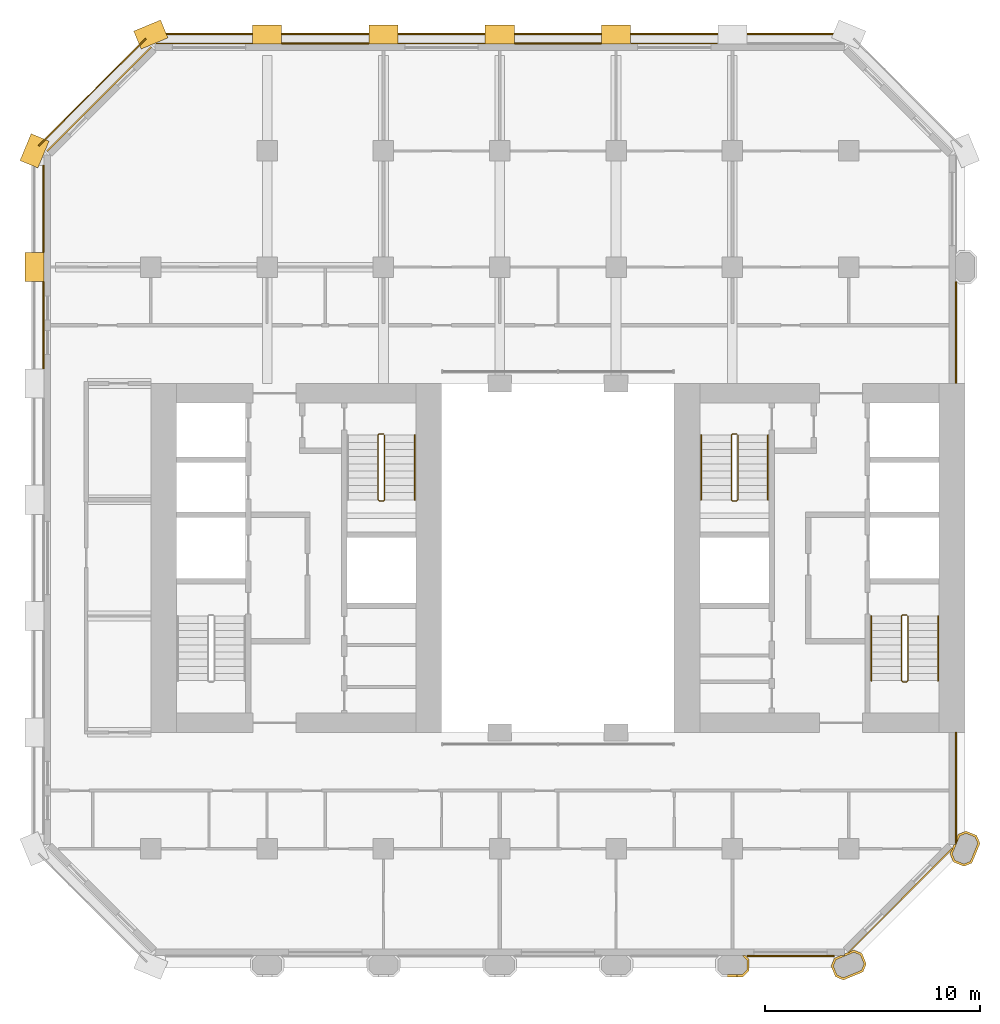
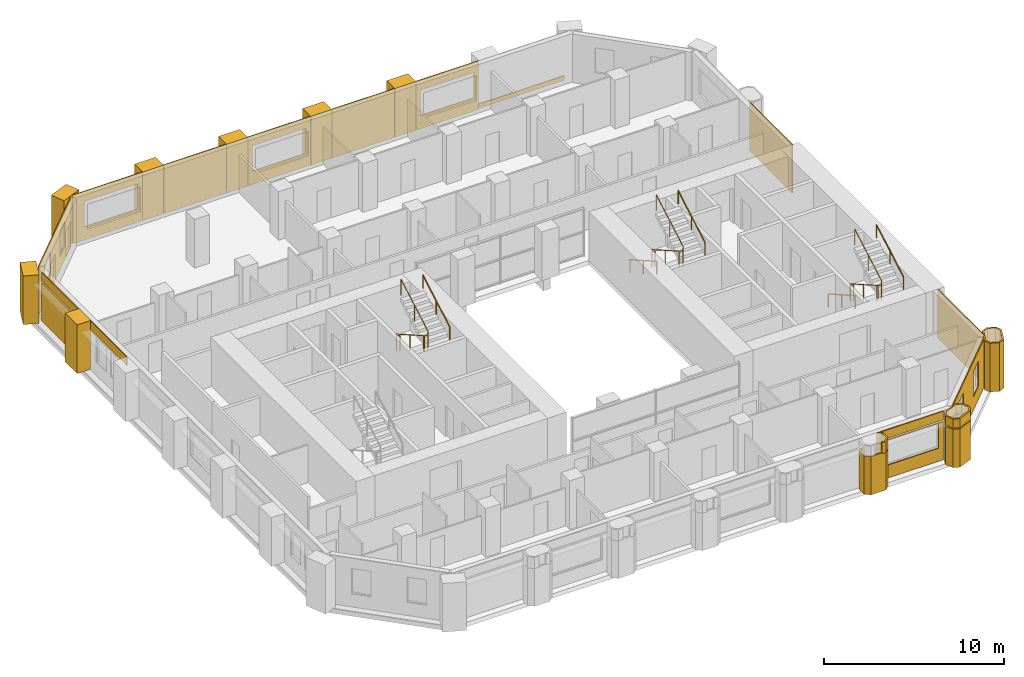
# One storey, part 12 of 13: 28 coverings, 8 railings.
"""IFC4 building model written with IfcOpenShell, lengths in metres."""

from ifc_helpers import new_model, si_unit, direction, frame, frame_2d, origin, origin_2d, place, context, subcontext, project, spatial, polyline, rectangle, circle, outline, extrude, material, layer, layer_set, type_object, element, save


model = new_model("IFC4")

# Units and contexts
model_context = context("Model", 3, precision=1e-05, world=origin(), true_north=direction((0.0, 1.0)))
body_context = subcontext(model_context, "Body", "Model", "MODEL_VIEW")
ifc_project = project(units=[si_unit("LENGTHUNIT", "METRE"), si_unit("AREAUNIT", "SQUARE_METRE"), si_unit("VOLUMEUNIT", "CUBIC_METRE"), si_unit("PLANEANGLEUNIT", "RADIAN"), si_unit("MASSUNIT", "GRAM", prefix="KILO")], contexts=[model_context])

# Site, building, storey
site_placement = place(None, origin())
site = spatial("IfcSite", under=ifc_project, at=site_placement, CompositionType="ELEMENT")
building_placement = place(site_placement, origin())
building = spatial("IfcBuilding", under=site, at=building_placement, Name="Tabaq Tower and Sports Hall", CompositionType="ELEMENT")
storey_placement = place(building_placement, frame((0.0, 0.0, 122.0)))
storey = spatial("IfcBuildingStorey", under=building, at=storey_placement, Name="L29", CompositionType="ELEMENT", Elevation=122.0)

# Coverings
ifc_material_1 = material(Name="Precast concrete C60/75", Category="concrete")
ifc_layer_1 = layer(ifc_material_1, 0.10009765625)
ifc_layer_set_1 = layer_set([ifc_layer_1], Name="Column cladding 100")
covering_type_1 = type_object("IfcCoveringType", Name="Column cladding 100", PredefinedType="CLADDING", material=ifc_layer_set_1)
covering_1_placement = place(storey_placement, origin())
element("IfcCovering", 1, at=covering_1_placement, inside=storey, type_object=covering_type_1, Name="Column cladding L29 PC-7B-O3", PredefinedType="CLADDING", context=body_context, shape_type="SweptSolid", body=[
    extrude(outline(polyline([(31.625244140625, 5.666259765625), (31.80859375, 5.849609375), (31.94921875, 5.849609375), (31.724609375, 5.625244140625), (31.724609375, 5.1748046875), (31.949951171875, 4.94970703125), (32.85009765625, 4.94970703125), (33.0751953125, 5.1748046875), (33.0751953125, 5.625244140625), (32.850830078125, 5.849609375), (32.9912109375, 5.849609375), (33.1748046875, 5.666259765625), (33.1748046875, 5.1337890625), (32.891357421875, 4.850341796875), (31.90869140625, 4.850341796875), (31.625244140625, 5.1337890625), (31.625244140625, 5.666259765625)])), origin(), (0.0, 0.0, 1.0), 2.60009765625),
])
covering_2_placement = place(storey_placement, frame((0.0, 0.0, 2.550048828125)))
element("IfcCovering", 2, at=covering_2_placement, inside=storey, type_object=covering_type_1, Name="Column cladding L29 PC-7B-O3 head", PredefinedType="CLADDING", context=body_context, shape_type="SweptSolid", body=[
    extrude(outline(polyline([(32.85009765625, 4.94970703125), (33.0751953125, 5.1748046875), (33.0751953125, 5.625244140625), (32.850830078125, 5.849609375), (32.9912109375, 5.849609375), (33.1748046875, 5.666259765625), (33.1748046875, 5.1337890625), (32.891357421875, 4.850341796875), (32.625244140625, 4.850341796875), (32.625244140625, 4.94970703125), (32.85009765625, 4.94970703125)])), origin(), (0.0, 0.0, 1.0), 0.75),
])
covering_3_placement = place(storey_placement, origin())
element("IfcCovering", 3, at=covering_3_placement, inside=storey, type_object=covering_type_1, Name="Column cladding L29 PC-8B-O3", PredefinedType="CLADDING", context=body_context, shape_type="SweptSolid", body=[
    extrude(outline(polyline([(36.982421875, 5.349609375), (37.1357421875, 5.7197265625), (37.44921875, 5.849609375), (37.614013671875, 5.849609375), (37.614013671875, 5.91796875), (37.767578125, 5.9814453125), (37.799072265625, 5.9501953125), (37.875, 6.026123046875), (38.04345703125, 6.095947265625), (38.413818359375, 5.9423828125), (38.61767578125, 5.450439453125), (38.46435546875, 5.080078125), (37.556396484375, 4.7041015625), (37.186279296875, 4.857421875), (36.982421875, 5.349609375)]), holes=[polyline([(38.510009765625, 5.450439453125), (38.337646484375, 5.866455078125), (38.04345703125, 5.98828125), (37.2119140625, 5.643798828125), (37.08984375, 5.349609375), (37.26220703125, 4.93359375), (37.556396484375, 4.811767578125), (38.38818359375, 5.15625), (38.510009765625, 5.450439453125)])]), origin(), (0.0, 0.0, 1.0), 2.60009765625),
])
covering_4_placement = place(storey_placement, frame((0.0, 0.0, 2.699951171875)))
element("IfcCovering", 4, at=covering_4_placement, inside=storey, type_object=covering_type_1, Name="Column cladding L29 PC-8B-O3 2", PredefinedType="CLADDING", context=body_context, shape_type="SweptSolid", body=[
    extrude(outline(polyline([(36.982421875, 5.349609375), (37.1357421875, 5.7197265625), (37.44921875, 5.849609375), (37.614013671875, 5.849609375), (37.614013671875, 5.91796875), (37.767578125, 5.9814453125), (37.799072265625, 5.9501953125), (37.875, 6.026123046875), (38.04345703125, 6.095947265625), (38.413818359375, 5.9423828125), (38.61767578125, 5.450439453125), (38.46435546875, 5.080078125), (37.556396484375, 4.7041015625), (37.186279296875, 4.857421875), (36.982421875, 5.349609375)]), holes=[polyline([(38.510009765625, 5.450439453125), (38.337646484375, 5.866455078125), (38.04345703125, 5.98828125), (37.2119140625, 5.643798828125), (37.08984375, 5.349609375), (37.26220703125, 4.93359375), (37.556396484375, 4.811767578125), (38.38818359375, 5.15625), (38.510009765625, 5.450439453125)])]), origin(), (0.0, 0.0, 1.0), 0.60009765625),
])
covering_5_placement = place(storey_placement, origin())
element("IfcCovering", 5, at=covering_5_placement, inside=storey, type_object=covering_type_1, Name="Column cladding L29 PC-9C-O3", PredefinedType="CLADDING", context=body_context, shape_type="SweptSolid", body=[
    extrude(outline(polyline([(42.657470703125, 10.186279296875), (42.504150390625, 10.556396484375), (42.573974609375, 10.72509765625), (42.64990234375, 10.801025390625), (42.618408203125, 10.83251953125), (42.68212890625, 10.986083984375), (42.750244140625, 10.986083984375), (42.750244140625, 11.04296875), (42.810302734375, 11.04296875), (42.810302734375, 11.295654296875), (42.880126953125, 11.46435546875), (43.25048828125, 11.61767578125), (43.742431640625, 11.413818359375), (43.895751953125, 11.04345703125), (43.519775390625, 10.1357421875), (43.149658203125, 9.982421875), (42.657470703125, 10.186279296875)]), holes=[polyline([(43.66650390625, 11.337646484375), (43.25048828125, 11.510009765625), (42.956298828125, 11.38818359375), (42.61181640625, 10.556396484375), (42.733642578125, 10.26220703125), (43.149658203125, 10.08984375), (43.44384765625, 10.2119140625), (43.788330078125, 11.04345703125), (43.66650390625, 11.337646484375)])]), origin(), (0.0, 0.0, 1.0), 3.300048828125),
])
ifc_material_2 = material(Name="Precast concrete C60/75", Category="concrete")
ifc_layer_2 = layer(ifc_material_2, 0.06005859375)
ifc_layer_set_2 = layer_set([ifc_layer_2], Name="Edge beam cladding 60")
covering_type_2 = type_object("IfcCoveringType", Name="Edge beam cladding 60", PredefinedType="CLADDING", material=ifc_layer_set_2)
covering_6_placement = place(storey_placement, frame((37.50146484375, 48.6298828125, -0.300048828125), z_axis=(0.0, 0.0, 1.0), x_axis=(-1.0, 0.0, 0.0)))
element("IfcCovering", 6, at=covering_6_placement, inside=storey, type_object=covering_type_2, Name="Edge beam cladding L29 2", PredefinedType="CLADDING", context=body_context, shape_type="SweptSolid", body=[
    extrude(rectangle(XDim=31.802978515625, YDim=0.06005859375, at=frame_2d((15.9013671875, 0.0))), origin(), (0.0, 0.0, 1.0), 0.300048828125),
])
covering_7_placement = place(storey_placement, frame((5.167724609375, 48.41015625, -0.300048828125), z_axis=(0.0, 0.0, 1.0), x_axis=(-0.707106781187, -0.707106781187, 0.0)))
element("IfcCovering", 7, at=covering_7_placement, inside=storey, type_object=covering_type_2, Name="Edge beam cladding L29 3", PredefinedType="CLADDING", context=body_context, shape_type="SweptSolid", body=[
    extrude(rectangle(XDim=7.03955078125, YDim=0.06005859375, at=frame_2d((3.519775390625, 0.0))), origin(), (0.0, 0.0, 1.0), 0.300048828125),
])
ifc_material_3 = material(Name="White precast concrete C60/75", Category="concrete")
covering_type_3 = type_object("IfcCoveringType", Name="Pier cladding hung 1350x900", PredefinedType="CLADDING", material=ifc_material_3)
for number, where, z_axis, x_axis, name in (
    (8, (0.0, 38.47509765625, 0.0), (0.0, 0.0, 1.0), (0.0, -1.0, 0.0), "Hung pier cladding 0/7"),
    (9, (0.25830078125, 43.82373046875, 0.0), (0.0, 0.0, 1.0), (-0.382649923473, -0.923893411637, 0.0), "Hung pier cladding 0/8"),
    (10, (6.023681640625, 48.8583984375, 0.0), (0.0, 0.0, 1.0), (-0.923893411637, -0.382649923473, 0.0), "Hung pier cladding 1/9"),
    (11, (11.47509765625, 48.60009765625, 0.0), (0.0, 0.0, 1.0), (-1.0, 0.0, 0.0), "Hung pier cladding 2/9"),
    (12, (16.875, 48.60009765625, 0.0), (0.0, 0.0, 1.0), (-1.0, 0.0, 0.0), "Hung pier cladding 3/9"),
):
    element("IfcCovering", number, at=place(storey_placement, frame(where, z_axis=z_axis, x_axis=x_axis)), inside=storey, type_object=covering_type_3, Name=name, PredefinedType="CLADDING", context=body_context, shape_type="SweptSolid", body=[
        extrude(rectangle(XDim=1.35009765625, YDim=0.89990234375, at=frame_2d((0.675048828125, 0.0))), origin(), (0.0, 0.0, 1.0), 3.300048828125),
    ])
covering_8_placement = place(storey_placement, frame((22.27490234375, 48.60009765625, 0.0), z_axis=(0.0, 0.0, 1.0), x_axis=(-1.0, 0.0, 0.0)))
element("IfcCovering", 13, at=covering_8_placement, inside=storey, type_object=covering_type_3, Name="Hung pier cladding 4/9", PredefinedType="CLADDING", context=body_context, shape_type="SweptSolid", body=[
    extrude(rectangle(XDim=1.349853515625, YDim=0.89990234375, at=frame_2d((0.6748046875, 0.0))), origin(), (0.0, 0.0, 1.0), 3.300048828125),
])
covering_9_placement = place(storey_placement, frame((27.675048828125, 48.60009765625, 0.0), z_axis=(0.0, 0.0, 1.0), x_axis=(-1.0, 0.0, 0.0)))
element("IfcCovering", 14, at=covering_9_placement, inside=storey, type_object=covering_type_3, Name="Hung pier cladding 5/9", PredefinedType="CLADDING", context=body_context, shape_type="SweptSolid", body=[
    extrude(rectangle(XDim=1.35009765625, YDim=0.89990234375, at=frame_2d((0.675048828125, 0.0))), origin(), (0.0, 0.0, 1.0), 3.300048828125),
])

# Railings
ifc_material_4 = material(Name="Stainless steel", Category="steel")
railing_type_1 = type_object("IfcRailingType", Name="Stair guard", PredefinedType="GUARDRAIL", material=ifc_material_4)
railing_1_placement = place(storey_placement, frame((16.199951171875, 30.050048828125, 0.0)))
element("IfcRailing", 15, at=railing_1_placement, inside=storey, type_object=railing_type_1, Name="L29 ST2 stair guard 1", PredefinedType="GUARDRAIL", context=body_context, shape_type="SweptSolid", body=[
    extrude(circle(Radius=0.02392578125, at=origin_2d()), frame((0.0, 0.0, 1.076171875), z_axis=(-1.0, 0.0, 0.0), x_axis=(0.0, -1.0, 0.0)), (0.0, 0.0, 1.0), 0.199951171875),
    extrude(circle(Radius=0.02392578125, at=origin_2d()), frame((-0.199951171875, 0.0, 1.076171875), z_axis=(-0.246910188598, -0.246910188598, 0.937054276727), x_axis=(0.707106781187, -0.707106781187, 0.0)), (0.0, 0.0, 1.0), 0.20263671875),
    extrude(circle(Radius=0.02392578125, at=origin_2d()), frame((-0.25, -0.050048828125, 1.26611328125), z_axis=(0.0, -0.868782136927, 0.495194505781), x_axis=(1.0, 0.0, 0.0)), (0.0, 0.0, 1.0), 3.453125),
    extrude(circle(Radius=0.02392578125, at=origin_2d()), frame((-0.25, -3.050048828125, 2.97607421875), z_axis=(0.707106781187, -0.707106781187, 0.0), x_axis=(0.707106781187, 0.707106781187, 0.0)), (0.0, 0.0, 1.0), 0.07080078125),
    extrude(circle(Radius=0.02392578125, at=origin_2d()), frame((-0.199951171875, -3.10009765625, 2.97607421875), z_axis=(1.0, 0.0, 0.0), x_axis=(0.0, 1.0, 0.0)), (0.0, 0.0, 1.0), 0.199951171875),
    extrude(circle(Radius=0.02392578125, at=origin_2d()), frame((0.0, -3.10009765625, 2.97607421875), z_axis=(0.246631811833, 0.246631811833, 0.937200884967), x_axis=(-0.707106781187, 0.707106781187, 0.0)), (0.0, 0.0, 1.0), 0.202880859375),
    extrude(circle(Radius=0.02392578125, at=origin_2d()), frame((0.050048828125, -3.050048828125, 3.166015625), z_axis=(0.0, 0.868782136927, 0.495194505781), x_axis=(-1.0, 0.0, 0.0)), (0.0, 0.0, 1.0), 3.453125),
    extrude(circle(Radius=0.02099609375, at=origin_2d()), origin(), (0.0, 0.0, 1.0), 1.052001953125),
    extrude(circle(Radius=0.02099609375, at=origin_2d()), frame((-0.199951171875, 0.0, 0.0)), (0.0, 0.0, 1.0), 1.052001953125),
    extrude(circle(Radius=0.02099609375, at=origin_2d()), frame((-0.25, -0.050048828125, 0.18994140625)), (0.0, 0.0, 1.0), 1.052001953125),
    extrude(circle(Radius=0.02099609375, at=origin_2d()), frame((-0.25, -1.550048828125, 1.044921875)), (0.0, 0.0, 1.0), 1.052001953125),
    extrude(circle(Radius=0.02099609375, at=origin_2d()), frame((-0.25, -3.050048828125, 1.89990234375)), (0.0, 0.0, 1.0), 1.052001953125),
    extrude(circle(Radius=0.02099609375, at=origin_2d()), frame((-0.199951171875, -3.10009765625, 1.89990234375)), (0.0, 0.0, 1.0), 1.052001953125),
    extrude(circle(Radius=0.02099609375, at=origin_2d()), frame((0.0, -3.10009765625, 1.89990234375)), (0.0, 0.0, 1.0), 1.052001953125),
    extrude(circle(Radius=0.02099609375, at=origin_2d()), frame((0.050048828125, -3.050048828125, 2.090087890625)), (0.0, 0.0, 1.0), 1.052001953125),
    extrude(circle(Radius=0.02099609375, at=origin_2d()), frame((0.050048828125, -1.550048828125, 2.945068359375)), (0.0, 0.0, 1.0), 1.052001953125),
    extrude(circle(Radius=0.02099609375, at=origin_2d()), frame((0.050048828125, -0.050048828125, 3.800048828125)), (0.0, 0.0, 1.0), 1.052001953125),
])
railing_2_placement = place(storey_placement, frame((40.5, 21.64990234375, 0.0)))
element("IfcRailing", 16, at=railing_2_placement, inside=storey, type_object=railing_type_1, Name="L29 ST3 stair guard 1", PredefinedType="GUARDRAIL", context=body_context, shape_type="SweptSolid", body=[
    extrude(circle(Radius=0.02392578125, at=origin_2d()), frame((0.0, 0.0, 1.076171875), z_axis=(-1.0, 0.0, 0.0), x_axis=(0.0, -1.0, 0.0)), (0.0, 0.0, 1.0), 0.199951171875),
    extrude(circle(Radius=0.02392578125, at=origin_2d()), frame((-0.199951171875, 0.0, 1.076171875), z_axis=(-0.246983470365, -0.245778672949, 0.937332389972), x_axis=(0.705375805398, -0.708833529934, 0.0)), (0.0, 0.0, 1.0), 0.20263671875),
    extrude(circle(Radius=0.02392578125, at=origin_2d()), frame((-0.25, -0.0498046875, 1.26611328125), z_axis=(0.0, -0.868782136927, 0.495194505781), x_axis=(1.0, 0.0, 0.0)), (0.0, 0.0, 1.0), 3.453125),
    extrude(circle(Radius=0.02392578125, at=origin_2d()), frame((-0.25, -3.0498046875, 2.97607421875), z_axis=(0.707106781187, -0.707106781187, 0.0), x_axis=(0.707106781187, 0.707106781187, 0.0)), (0.0, 0.0, 1.0), 0.07080078125),
    extrude(circle(Radius=0.02392578125, at=origin_2d()), frame((-0.199951171875, -3.099853515625, 2.97607421875), z_axis=(1.0, 0.0, 0.0), x_axis=(0.0, 1.0, 0.0)), (0.0, 0.0, 1.0), 0.199951171875),
    extrude(circle(Radius=0.02392578125, at=origin_2d()), frame((0.0, -3.099853515625, 2.97607421875), z_axis=(0.246631811833, 0.246631811833, 0.937200884967), x_axis=(-0.707106781187, 0.707106781187, 0.0)), (0.0, 0.0, 1.0), 0.202880859375),
    extrude(circle(Radius=0.02392578125, at=origin_2d()), frame((0.050048828125, -3.0498046875, 3.166015625), z_axis=(0.0, 0.868782136927, 0.495194505781), x_axis=(-1.0, 0.0, 0.0)), (0.0, 0.0, 1.0), 3.453125),
    extrude(circle(Radius=0.02099609375, at=origin_2d()), origin(), (0.0, 0.0, 1.0), 1.052001953125),
    extrude(circle(Radius=0.02099609375, at=origin_2d()), frame((-0.199951171875, 0.0, 0.0)), (0.0, 0.0, 1.0), 1.052001953125),
    extrude(circle(Radius=0.02099609375, at=origin_2d()), frame((-0.25, -0.0498046875, 0.18994140625)), (0.0, 0.0, 1.0), 1.052001953125),
    extrude(circle(Radius=0.02099609375, at=origin_2d()), frame((-0.25, -1.5498046875, 1.044921875)), (0.0, 0.0, 1.0), 1.052001953125),
    extrude(circle(Radius=0.02099609375, at=origin_2d()), frame((-0.25, -3.0498046875, 1.89990234375)), (0.0, 0.0, 1.0), 1.052001953125),
    extrude(circle(Radius=0.02099609375, at=origin_2d()), frame((-0.199951171875, -3.099853515625, 1.89990234375)), (0.0, 0.0, 1.0), 1.052001953125),
    extrude(circle(Radius=0.02099609375, at=origin_2d()), frame((0.0, -3.099853515625, 1.89990234375)), (0.0, 0.0, 1.0), 1.052001953125),
    extrude(circle(Radius=0.02099609375, at=origin_2d()), frame((0.050048828125, -3.0498046875, 2.090087890625)), (0.0, 0.0, 1.0), 1.052001953125),
    extrude(circle(Radius=0.02099609375, at=origin_2d()), frame((0.050048828125, -1.5498046875, 2.945068359375)), (0.0, 0.0, 1.0), 1.052001953125),
    extrude(circle(Radius=0.02099609375, at=origin_2d()), frame((0.050048828125, -0.0498046875, 3.800048828125)), (0.0, 0.0, 1.0), 1.052001953125),
])
railing_3_placement = place(storey_placement, frame((32.60009765625, 30.050048828125, 0.0)))
element("IfcRailing", 17, at=railing_3_placement, inside=storey, type_object=railing_type_1, Name="L29 ST4 stair guard 1", PredefinedType="GUARDRAIL", context=body_context, shape_type="SweptSolid", body=[
    extrude(circle(Radius=0.02392578125, at=origin_2d()), frame((0.0, 0.0, 1.076171875), z_axis=(-1.0, 0.0, 0.0), x_axis=(0.0, -1.0, 0.0)), (0.0, 0.0, 1.0), 0.2001953125),
    extrude(circle(Radius=0.02392578125, at=origin_2d()), frame((-0.2001953125, 0.0, 1.076171875), z_axis=(-0.245778672949, -0.246983470365, 0.937332389972), x_axis=(0.708833529934, -0.705375805398, 0.0)), (0.0, 0.0, 1.0), 0.20263671875),
    extrude(circle(Radius=0.02392578125, at=origin_2d()), frame((-0.25, -0.050048828125, 1.26611328125), z_axis=(0.0, -0.868782136927, 0.495194505781), x_axis=(1.0, 0.0, 0.0)), (0.0, 0.0, 1.0), 3.453125),
    extrude(circle(Radius=0.02392578125, at=origin_2d()), frame((-0.25, -3.050048828125, 2.97607421875), z_axis=(0.705375805398, -0.708833529934, 0.0), x_axis=(0.708833529934, 0.705375805398, 0.0)), (0.0, 0.0, 1.0), 0.070556640625),
    extrude(circle(Radius=0.02392578125, at=origin_2d()), frame((-0.2001953125, -3.10009765625, 2.97607421875), z_axis=(1.0, 0.0, 0.0), x_axis=(0.0, 1.0, 0.0)), (0.0, 0.0, 1.0), 0.2001953125),
    extrude(circle(Radius=0.02392578125, at=origin_2d()), frame((0.0, -3.10009765625, 2.97607421875), z_axis=(0.245501407671, 0.246704845944, 0.937478414588), x_axis=(-0.708833529934, 0.705375805398, 0.0)), (0.0, 0.0, 1.0), 0.202880859375),
    extrude(circle(Radius=0.02392578125, at=origin_2d()), frame((0.0498046875, -3.050048828125, 3.166015625), z_axis=(0.0, 0.868782136927, 0.495194505781), x_axis=(-1.0, 0.0, 0.0)), (0.0, 0.0, 1.0), 3.453125),
    extrude(circle(Radius=0.02099609375, at=origin_2d()), origin(), (0.0, 0.0, 1.0), 1.052001953125),
    extrude(circle(Radius=0.02099609375, at=origin_2d()), frame((-0.2001953125, 0.0, 0.0)), (0.0, 0.0, 1.0), 1.052001953125),
    extrude(circle(Radius=0.02099609375, at=origin_2d()), frame((-0.25, -0.050048828125, 0.18994140625)), (0.0, 0.0, 1.0), 1.052001953125),
    extrude(circle(Radius=0.02099609375, at=origin_2d()), frame((-0.25, -1.550048828125, 1.044921875)), (0.0, 0.0, 1.0), 1.052001953125),
    extrude(circle(Radius=0.02099609375, at=origin_2d()), frame((-0.25, -3.050048828125, 1.89990234375)), (0.0, 0.0, 1.0), 1.052001953125),
    extrude(circle(Radius=0.02099609375, at=origin_2d()), frame((-0.2001953125, -3.10009765625, 1.89990234375)), (0.0, 0.0, 1.0), 1.052001953125),
    extrude(circle(Radius=0.02099609375, at=origin_2d()), frame((0.0, -3.10009765625, 1.89990234375)), (0.0, 0.0, 1.0), 1.052001953125),
    extrude(circle(Radius=0.02099609375, at=origin_2d()), frame((0.0498046875, -3.050048828125, 2.090087890625)), (0.0, 0.0, 1.0), 1.052001953125),
    extrude(circle(Radius=0.02099609375, at=origin_2d()), frame((0.0498046875, -1.550048828125, 2.945068359375)), (0.0, 0.0, 1.0), 1.052001953125),
    extrude(circle(Radius=0.02099609375, at=origin_2d()), frame((0.0498046875, -0.050048828125, 3.800048828125)), (0.0, 0.0, 1.0), 1.052001953125),
])
ifc_material_5 = material(Name="Stainless steel", Category="steel")
railing_type_2 = type_object("IfcRailingType", Name="Stair handrail", PredefinedType="HANDRAIL", material=ifc_material_5)
railing_4_placement = place(storey_placement, frame((17.64990234375, 27.0, 2.090087890625)))
element("IfcRailing", 18, at=railing_4_placement, inside=storey, type_object=railing_type_2, Name="L29 ST2 stair handrail 2", PredefinedType="HANDRAIL", context=body_context, shape_type="SweptSolid", body=[
    extrude(circle(Radius=0.02392578125, at=origin_2d()), frame((0.0, 0.0, 0.8759765625), z_axis=(0.0, 0.868782136927, 0.495194505781), x_axis=(-1.0, 0.0, 0.0)), (0.0, 0.0, 1.0), 3.453125),
    extrude(circle(Radius=0.02099609375, at=origin_2d()), origin(), (0.0, 0.0, 1.0), 0.851806640625),
    extrude(circle(Radius=0.02099609375, at=origin_2d()), frame((0.0, 1.5, 0.85498046875)), (0.0, 0.0, 1.0), 0.851806640625),
    extrude(circle(Radius=0.02099609375, at=origin_2d()), frame((0.0, 3.0, 1.7099609375)), (0.0, 0.0, 1.0), 0.851806640625),
])
railing_5_placement = place(storey_placement, frame((38.85009765625, 21.60009765625, 0.18994140625)))
element("IfcRailing", 19, at=railing_5_placement, inside=storey, type_object=railing_type_2, Name="L29 ST3 stair handrail 1", PredefinedType="HANDRAIL", context=body_context, shape_type="SweptSolid", body=[
    extrude(circle(Radius=0.02392578125, at=origin_2d()), frame((0.0, 0.0, 0.8759765625), z_axis=(0.0, -0.868782136927, 0.495194505781), x_axis=(1.0, 0.0, 0.0)), (0.0, 0.0, 1.0), 3.453125),
    extrude(circle(Radius=0.02099609375, at=origin_2d()), origin(), (0.0, 0.0, 1.0), 0.851806640625),
    extrude(circle(Radius=0.02099609375, at=origin_2d()), frame((0.0, -1.5, 0.85498046875)), (0.0, 0.0, 1.0), 0.851806640625),
    extrude(circle(Radius=0.02099609375, at=origin_2d()), frame((0.0, -3.0, 1.7099609375)), (0.0, 0.0, 1.0), 0.851806640625),
])
railing_6_placement = place(storey_placement, frame((41.949951171875, 18.60009765625, 2.090087890625)))
element("IfcRailing", 20, at=railing_6_placement, inside=storey, type_object=railing_type_2, Name="L29 ST3 stair handrail 2", PredefinedType="HANDRAIL", context=body_context, shape_type="SweptSolid", body=[
    extrude(circle(Radius=0.02392578125, at=origin_2d()), frame((0.0, 0.0, 0.8759765625), z_axis=(0.0, 0.868782136927, 0.495194505781), x_axis=(-1.0, 0.0, 0.0)), (0.0, 0.0, 1.0), 3.453125),
    extrude(circle(Radius=0.02099609375, at=origin_2d()), origin(), (0.0, 0.0, 1.0), 0.851806640625),
    extrude(circle(Radius=0.02099609375, at=origin_2d()), frame((0.0, 1.5, 0.85498046875)), (0.0, 0.0, 1.0), 0.851806640625),
    extrude(circle(Radius=0.02099609375, at=origin_2d()), frame((0.0, 3.0, 1.7099609375)), (0.0, 0.0, 1.0), 0.851806640625),
])
railing_7_placement = place(storey_placement, frame((30.949951171875, 30.0, 0.18994140625)))
element("IfcRailing", 21, at=railing_7_placement, inside=storey, type_object=railing_type_2, Name="L29 ST4 stair handrail 1", PredefinedType="HANDRAIL", context=body_context, shape_type="SweptSolid", body=[
    extrude(circle(Radius=0.02392578125, at=origin_2d()), frame((0.0, 0.0, 0.8759765625), z_axis=(0.0, -0.868782136927, 0.495194505781), x_axis=(1.0, 0.0, 0.0)), (0.0, 0.0, 1.0), 3.453125),
    extrude(circle(Radius=0.02099609375, at=origin_2d()), origin(), (0.0, 0.0, 1.0), 0.851806640625),
    extrude(circle(Radius=0.02099609375, at=origin_2d()), frame((0.0, -1.5, 0.85498046875)), (0.0, 0.0, 1.0), 0.851806640625),
    extrude(circle(Radius=0.02099609375, at=origin_2d()), frame((0.0, -3.0, 1.7099609375)), (0.0, 0.0, 1.0), 0.851806640625),
])
railing_8_placement = place(storey_placement, frame((34.050048828125, 27.0, 2.090087890625)))
element("IfcRailing", 22, at=railing_8_placement, inside=storey, type_object=railing_type_2, Name="L29 ST4 stair handrail 2", PredefinedType="HANDRAIL", context=body_context, shape_type="SweptSolid", body=[
    extrude(circle(Radius=0.02392578125, at=origin_2d()), frame((0.0, 0.0, 0.8759765625), z_axis=(0.0, 0.868782136927, 0.495194505781), x_axis=(-1.0, 0.0, 0.0)), (0.0, 0.0, 1.0), 3.453125),
    extrude(circle(Radius=0.02099609375, at=origin_2d()), origin(), (0.0, 0.0, 1.0), 0.851806640625),
    extrude(circle(Radius=0.02099609375, at=origin_2d()), frame((0.0, 1.5, 0.85498046875)), (0.0, 0.0, 1.0), 0.851806640625),
    extrude(circle(Radius=0.02099609375, at=origin_2d()), frame((0.0, 3.0, 1.7099609375)), (0.0, 0.0, 1.0), 0.851806640625),
])

# Coverings
ifc_material_6 = material(Name="Precast concrete C60/75", Category="concrete")
ifc_layer_3 = layer(ifc_material_6, 0.06005859375)
ifc_layer_set_3 = layer_set([ifc_layer_3], Name="White precast cladding panel 60 C60/75")
covering_type_4 = type_object("IfcCoveringType", Name="White precast cladding panel 60 C60/75", PredefinedType="CLADDING", material=ifc_layer_set_3)
covering_10_placement = place(storey_placement, frame((33.0849609375, 5.820068359375, 0.0), z_axis=(0.0, 0.0, 1.0), x_axis=(1.0, 0.0, 0.0)))
element("IfcCovering", 23, at=covering_10_placement, inside=storey, type_object=covering_type_4, Name="White precast cladding panel L29 wall00 11", PredefinedType="CLADDING", context=body_context, shape_type="SweptSolid", body=[
    extrude(outline(polyline([(0.0, 0.0), (4.050048828125, 0.0), (4.050048828125, 2.590087890625), (0.0, 2.590087890625), (0.0, 0.0)]), holes=[polyline([(3.72509765625, 0.889892578125), (0.304931640625, 0.889892578125), (0.304931640625, 2.56005859375), (3.72509765625, 2.56005859375), (3.72509765625, 0.889892578125)])]), frame((0.0, 0.030029296875, 0.0), z_axis=(0.0, -1.0, 0.0), x_axis=(1.0, 0.0, 0.0)), (0.0, 0.0, 1.0), 0.06005859375),
])
covering_11_placement = place(storey_placement, frame((33.0849609375, 5.820068359375, 2.7099609375), z_axis=(0.0, 0.0, 1.0), x_axis=(1.0, 0.0, 0.0)))
element("IfcCovering", 24, at=covering_11_placement, inside=storey, type_object=covering_type_4, Name="White precast cladding panel L29 wall00 12", PredefinedType="CLADDING", context=body_context, shape_type="SweptSolid", body=[
    extrude(rectangle(XDim=4.050048828125, YDim=0.06005859375, at=frame_2d((2.02490234375, 0.0))), origin(), (0.0, 0.0, 1.0), 0.590087890625),
])
covering_12_placement = place(storey_placement, frame((37.77783203125, 5.9716796875, 0.0), z_axis=(0.0, 0.0, 1.0), x_axis=(0.707088985397, 0.707124576528, 0.0)))
element("IfcCovering", 25, at=covering_12_placement, inside=storey, type_object=covering_type_4, Name="White precast cladding panel L29 wall01", PredefinedType="CLADDING", context=body_context, shape_type="SweptSolid", body=[
    extrude(outline(polyline([(0.0, 0.0), (6.859619140625, 0.0), (6.859619140625, 3.300048828125), (0.0, 3.300048828125), (0.0, 0.0)]), holes=[polyline([(1.269775390625, 2.610107421875), (2.389892578125, 2.610107421875), (2.389892578125, 0.889892578125), (1.269775390625, 0.889892578125), (1.269775390625, 2.610107421875)]), polyline([(4.4697265625, 2.610107421875), (5.58984375, 2.610107421875), (5.58984375, 0.889892578125), (4.4697265625, 0.889892578125), (4.4697265625, 2.610107421875)])]), frame((0.0, 0.030029296875, 0.0), z_axis=(0.0, -1.0, 0.0), x_axis=(1.0, 0.0, 0.0)), (0.0, 0.0, 1.0), 0.06005859375),
])
covering_13_placement = place(storey_placement, frame((42.780029296875, 11.043212890625, 0.0), z_axis=(0.0, 0.0, 1.0), x_axis=(0.0, 1.0, 0.0)))
element("IfcCovering", 26, at=covering_13_placement, inside=storey, type_object=covering_type_4, Name="White precast cladding panel L29 wall02", PredefinedType="CLADDING", context=body_context, shape_type="SweptSolid", body=[
    extrude(rectangle(XDim=5.15673828125, YDim=0.06005859375, at=frame_2d((2.578369140625, 0.0))), origin(), (0.0, 0.0, 1.0), 3.300048828125),
])
covering_14_placement = place(storey_placement, frame((42.780029296875, 32.39990234375, 0.0), z_axis=(0.0, 0.0, 1.0), x_axis=(0.0, 1.0, 0.0)))
element("IfcCovering", 27, at=covering_14_placement, inside=storey, type_object=covering_type_4, Name="White precast cladding panel L29 wall02-1", PredefinedType="CLADDING", context=body_context, shape_type="SweptSolid", body=[
    extrude(rectangle(XDim=4.715087890625, YDim=0.06005859375, at=frame_2d((2.357421875, 0.0))), origin(), (0.0, 0.0, 1.0), 3.300048828125),
])
covering_15_placement = place(storey_placement, frame((31.715087890625, 48.179931640625, 0.0), z_axis=(0.0, 0.0, 1.0), x_axis=(-1.0, 0.0, 0.0)))
element("IfcCovering", 28, at=covering_15_placement, inside=storey, type_object=covering_type_4, Name="White precast cladding panel L29 wall04 2", PredefinedType="CLADDING", context=body_context, shape_type="SweptSolid", body=[
    extrude(outline(polyline([(0.0, 0.0), (4.030029296875, 0.0), (4.030029296875, 3.300048828125), (0.0, 3.300048828125), (0.0, 0.0)]), holes=[polyline([(0.304931640625, 0.889892578125), (0.304931640625, 2.610107421875), (3.72509765625, 2.610107421875), (3.72509765625, 0.889892578125), (0.304931640625, 0.889892578125)])]), frame((0.0, 0.030029296875, 0.0), z_axis=(0.0, -1.0, 0.0), x_axis=(1.0, 0.0, 0.0)), (0.0, 0.0, 1.0), 0.06005859375),
])
covering_16_placement = place(storey_placement, frame((26.31494140625, 48.179931640625, 0.0), z_axis=(0.0, 0.0, 1.0), x_axis=(-1.0, 0.0, 0.0)))
element("IfcCovering", 29, at=covering_16_placement, inside=storey, type_object=covering_type_4, Name="White precast cladding panel L29 wall04 3", PredefinedType="CLADDING", context=body_context, shape_type="SweptSolid", body=[
    extrude(rectangle(XDim=4.030029296875, YDim=0.06005859375, at=frame_2d((2.01513671875, 0.0))), origin(), (0.0, 0.0, 1.0), 3.300048828125),
])
covering_17_placement = place(storey_placement, frame((20.9150390625, 48.179931640625, 0.0), z_axis=(0.0, 0.0, 1.0), x_axis=(-1.0, 0.0, 0.0)))
element("IfcCovering", 30, at=covering_17_placement, inside=storey, type_object=covering_type_4, Name="White precast cladding panel L29 wall04 4", PredefinedType="CLADDING", context=body_context, shape_type="SweptSolid", body=[
    extrude(outline(polyline([(0.0, 0.0), (4.030029296875, 0.0), (4.030029296875, 3.300048828125), (0.0, 3.300048828125), (0.0, 0.0)]), holes=[polyline([(0.304931640625, 0.889892578125), (0.304931640625, 2.610107421875), (3.72509765625, 2.610107421875), (3.72509765625, 0.889892578125), (0.304931640625, 0.889892578125)])]), frame((0.0, 0.030029296875, 0.0), z_axis=(0.0, -1.0, 0.0), x_axis=(1.0, 0.0, 0.0)), (0.0, 0.0, 1.0), 0.06005859375),
])
covering_18_placement = place(storey_placement, frame((15.514892578125, 48.179931640625, 0.0), z_axis=(0.0, 0.0, 1.0), x_axis=(-1.0, 0.0, 0.0)))
element("IfcCovering", 31, at=covering_18_placement, inside=storey, type_object=covering_type_4, Name="White precast cladding panel L29 wall04 5", PredefinedType="CLADDING", context=body_context, shape_type="SweptSolid", body=[
    extrude(rectangle(XDim=4.02978515625, YDim=0.06005859375, at=frame_2d((2.014892578125, 0.0))), origin(), (0.0, 0.0, 1.0), 3.300048828125),
])
covering_19_placement = place(storey_placement, frame((10.114990234375, 48.179931640625, 0.0), z_axis=(0.0, 0.0, 1.0), x_axis=(-1.0, 0.0, 0.0)))
element("IfcCovering", 32, at=covering_19_placement, inside=storey, type_object=covering_type_4, Name="White precast cladding panel L29 wall04 6", PredefinedType="CLADDING", context=body_context, shape_type="SweptSolid", body=[
    extrude(outline(polyline([(0.0, 0.0), (4.471923828125, 0.0), (4.471923828125, 3.300048828125), (0.0, 3.300048828125), (0.0, 0.0)]), holes=[polyline([(0.304931640625, 0.889892578125), (0.304931640625, 2.610107421875), (3.72509765625, 2.610107421875), (3.72509765625, 0.889892578125), (0.304931640625, 0.889892578125)])]), frame((0.0, 0.030029296875, 0.0), z_axis=(0.0, -1.0, 0.0), x_axis=(1.0, 0.0, 0.0)), (0.0, 0.0, 1.0), 0.06005859375),
])
covering_20_placement = place(storey_placement, frame((5.42236328125, 48.0283203125, 0.0), z_axis=(0.0, 0.0, 1.0), x_axis=(-0.707106781187, -0.707106781187, 0.0)))
element("IfcCovering", 33, at=covering_20_placement, inside=storey, type_object=covering_type_4, Name="White precast cladding panel L29 wall05", PredefinedType="CLADDING", context=body_context, shape_type="SweptSolid", body=[
    extrude(outline(polyline([(0.0, 0.0), (6.85986328125, 0.0), (6.85986328125, 3.300048828125), (0.0, 3.300048828125), (0.0, 0.0)]), holes=[polyline([(1.269775390625, 2.610107421875), (2.389892578125, 2.610107421875), (2.389892578125, 0.889892578125), (1.269775390625, 0.889892578125), (1.269775390625, 2.610107421875)]), polyline([(4.4697265625, 2.610107421875), (5.58984375, 2.610107421875), (5.58984375, 0.889892578125), (4.4697265625, 0.889892578125), (4.4697265625, 2.610107421875)])]), frame((0.0, 0.030029296875, 0.0), z_axis=(0.0, -1.0, 0.0), x_axis=(1.0, 0.0, 0.0)), (0.0, 0.0, 1.0), 0.06005859375),
])
covering_21_placement = place(storey_placement, frame((0.419921875, 42.534912109375, 0.0), z_axis=(0.0, 0.0, 1.0), x_axis=(0.0, -1.0, 0.0)))
element("IfcCovering", 34, at=covering_21_placement, inside=storey, type_object=covering_type_4, Name="White precast cladding panel L29 wall06", PredefinedType="CLADDING", context=body_context, shape_type="SweptSolid", body=[
    extrude(rectangle(XDim=4.0498046875, YDim=0.06005859375, at=frame_2d((2.02490234375, 0.0))), origin(), (0.0, 0.0, 1.0), 2.590087890625),
])
covering_22_placement = place(storey_placement, frame((0.419921875, 42.534912109375, 2.7099609375), z_axis=(0.0, 0.0, 1.0), x_axis=(0.0, -1.0, 0.0)))
element("IfcCovering", 35, at=covering_22_placement, inside=storey, type_object=covering_type_4, Name="White precast cladding panel L29 wall06 2", PredefinedType="CLADDING", context=body_context, shape_type="SweptSolid", body=[
    extrude(rectangle(XDim=4.0498046875, YDim=0.06005859375, at=frame_2d((2.02490234375, 0.0))), origin(), (0.0, 0.0, 1.0), 0.590087890625),
])
covering_23_placement = place(storey_placement, frame((0.419921875, 37.114990234375, 2.7099609375), z_axis=(0.0, 0.0, 1.0), x_axis=(0.0, -1.0, 0.0)))
element("IfcCovering", 36, at=covering_23_placement, inside=storey, type_object=covering_type_4, Name="White precast cladding panel L29 wall06 4", PredefinedType="CLADDING", context=body_context, shape_type="SweptSolid", body=[
    extrude(rectangle(XDim=4.030029296875, YDim=0.06005859375, at=frame_2d((2.01513671875, 0.0))), origin(), (0.0, 0.0, 1.0), 0.590087890625),
])

save(model, "model.ifc")
